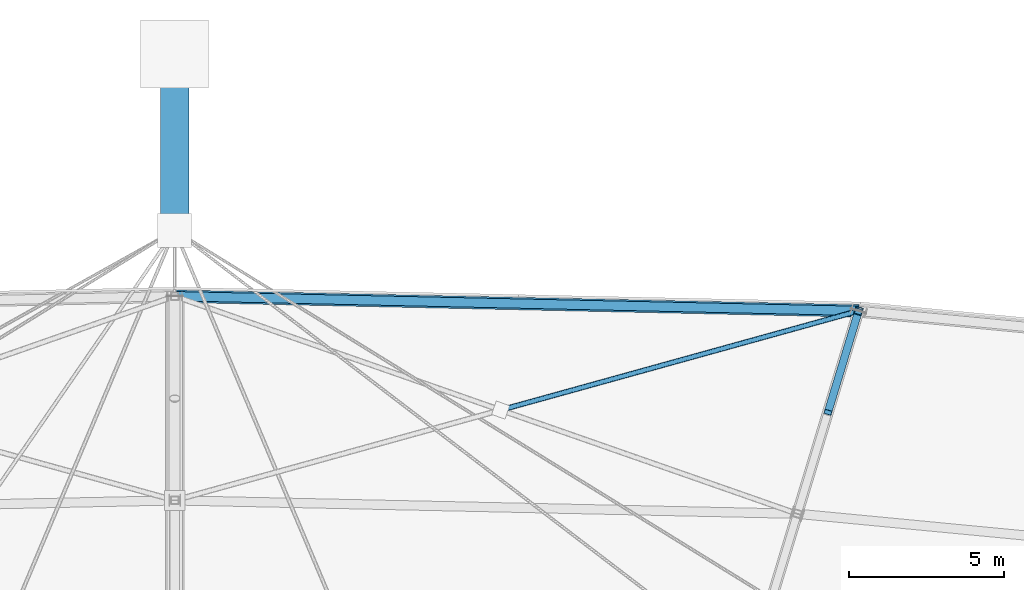
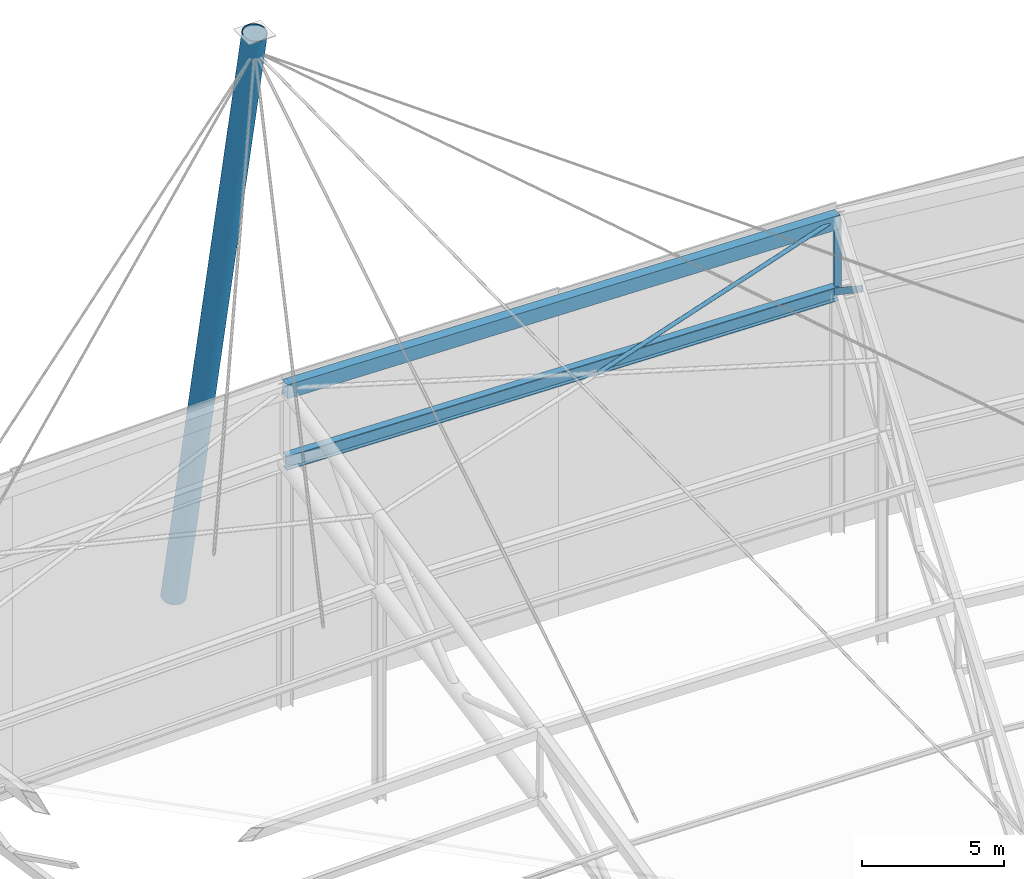
# One storey, part 99 of 143: 4 members, 2 beams.
"""IFC4 building model written with IfcOpenShell, lengths in metres."""

from ifc_helpers import new_model, si_unit, direction, frame, origin, origin_2d, place, context, subcontext, project, spatial, hollow_rectangle, hollow_circle, i_section, extrude, material, material_profile, profile_set, type_object, element, save


model = new_model("IFC4")

# Units and contexts
model_context = context("Model", 3, precision=1e-05, world=origin(), true_north=direction((0.0, 1.0)))
body_context = subcontext(model_context, "Body", "Model", "MODEL_VIEW")
ifc_project = project(units=[si_unit("LENGTHUNIT", "METRE"), si_unit("AREAUNIT", "SQUARE_METRE"), si_unit("VOLUMEUNIT", "CUBIC_METRE"), si_unit("PLANEANGLEUNIT", "RADIAN"), si_unit("MASSUNIT", "GRAM", prefix="KILO")], contexts=[model_context])

# Site, building, storey
site_placement = place(None, origin())
site = spatial("IfcSite", under=ifc_project, at=site_placement, CompositionType="ELEMENT")
building_placement = place(site_placement, origin())
building = spatial("IfcBuilding", under=site, at=building_placement, Name="Mphavela Belvedere Stadium", CompositionType="ELEMENT")
storey_placement = place(building_placement, frame((0.0, 0.0, 28.800048828125)))
storey = spatial("IfcBuildingStorey", under=building, at=storey_placement, Name="RF", CompositionType="ELEMENT", Elevation=28.800048828125)

# Beams
ifc_material_1 = material(Name="Steel S355", Category="steel")
ifc_material_profile_1 = material_profile(ifc_material_1, hollow_rectangle(XDim=0.39990234375, YDim=0.60009765625, WallThickness=0.02001953125, at=origin_2d()), Name="RHS 600x400x20")
ifc_profile_set_1 = profile_set([ifc_material_profile_1], Name="Steel S355")
beam_type_1 = type_object("IfcBeamType", Name="BM-RING-OUT", PredefinedType="BEAM", material=ifc_profile_set_1)
beam_1_placement = place(storey_placement, frame((137.114501953125, 160.19384765625, 13.4423828125), z_axis=(-0.999741024299, 0.021522118296, 0.007394779107), x_axis=(-0.021522706765, -0.999768359718, 0.0)))
element("IfcBeam", 1, at=beam_1_placement, inside=storey, type_object=beam_type_1, Name="Perimeter compression ring beam RB-OUT-12", PredefinedType="BEAM", context=body_context, shape_type="SweptSolid", body=[
    extrude(hollow_rectangle(XDim=0.39990234375, YDim=0.60009765625, WallThickness=0.02001953125, at=origin_2d()), origin(), (0.0, 0.0, 1.0), 22.1201171875),
])
ifc_material_2 = material(Name="Steel S355", Category="steel")
ifc_material_profile_2 = material_profile(ifc_material_2, i_section(OverallWidth=0.300048828125, OverallDepth=0.60009765625, WebThickness=0.015380859375, FlangeThickness=0.030029296875, at=origin_2d()), Name="HEB 600")
ifc_profile_set_2 = profile_set([ifc_material_profile_2], Name="Steel S355")
beam_type_2 = type_object("IfcBeamType", Name="BM-STEEL-HEB600", PredefinedType="BEAM", material=ifc_profile_set_2)
beam_2_placement = place(storey_placement, frame((137.114501953125, 160.19384765625, 10.347412109375), z_axis=(-0.999741024299, 0.021522118296, 0.007394779107), x_axis=(-0.021522706765, -0.999768359718, 0.0)))
element("IfcBeam", 2, at=beam_2_placement, inside=storey, type_object=beam_type_2, Name="Roof bottom-chord tie girder R4-12", PredefinedType="BEAM", context=body_context, shape_type="SweptSolid", body=[
    extrude(i_section(OverallWidth=0.300048828125, OverallDepth=0.60009765625, WebThickness=0.015380859375, FlangeThickness=0.030029296875, at=origin_2d()), origin(), (0.0, 0.0, 1.0), 22.1201171875),
])

# Members
ifc_material_3 = material(Name="Steel S355", Category="steel")
ifc_material_profile_3 = material_profile(ifc_material_3, hollow_circle(Radius=0.45703125, WallThickness=0.031982421875, at=origin_2d()), Name="CHS 914x32")
ifc_profile_set_3 = profile_set([ifc_material_profile_3], Name="Steel S355")
member_type_1 = type_object("IfcMemberType", Name="MEM-MAST-RM1", PredefinedType="USERDEFINED", material=ifc_profile_set_3)
member_1_placement = place(storey_placement, frame((115.0, 168.5, 0.0), z_axis=(0.0, -0.202252960085, 0.979333314116), x_axis=(1.0, 0.0, 0.0)))
element("IfcMember", 3, at=member_1_placement, inside=storey, type_object=member_type_1, Name="North raked tubular steel mast RM1", ObjectType="MAST", PredefinedType="USERDEFINED", context=body_context, shape_type="SweptSolid", body=[
    extrude(hollow_circle(Radius=0.45703125, WallThickness=0.031982421875, at=origin_2d()), origin(), (0.0, 0.0, 1.0), 28.182373046875),
])
ifc_material_4 = material(Name="Steel S355", Category="steel")
ifc_material_profile_4 = material_profile(ifc_material_4, hollow_rectangle(XDim=0.25, YDim=0.25, WallThickness=0.012451171875, at=origin_2d()), Name="SHS 250x250x12.5")
ifc_profile_set_4 = profile_set([ifc_material_profile_4], Name="Steel S355")
member_type_2 = type_object("IfcMemberType", Name="MEM-POST-SHS250", PredefinedType="POST", material=ifc_profile_set_4)
member_2_placement = place(storey_placement, frame((137.114501953125, 160.19384765625, 10.347412109375), z_axis=(0.0, 0.0, 1.0), x_axis=(0.289198876314, 0.957269037387, 0.0)))
element("IfcMember", 4, at=member_2_placement, inside=storey, type_object=member_type_2, Name="Radial roof truss RT-12 post P1", PredefinedType="POST", context=body_context, shape_type="SweptSolid", body=[
    extrude(hollow_rectangle(XDim=0.25, YDim=0.25, WallThickness=0.012451171875, at=origin_2d()), origin(), (0.0, 0.0, 1.0), 3.14990234375),
])
member_3_placement = place(storey_placement, frame((137.114501953125, 160.19384765625, 10.347412109375), z_axis=(-0.235671930257, -0.780057251293, 0.579628696662), x_axis=(0.957265573066, -0.289210343214, 0.0)))
element("IfcMember", 5, at=member_3_placement, inside=storey, type_object=member_type_2, Name="Radial roof truss RT-12 web diagonal D1", PredefinedType="POST", context=body_context, shape_type="SweptSolid", body=[
    extrude(hollow_rectangle(XDim=0.25, YDim=0.25, WallThickness=0.012451171875, at=origin_2d()), origin(), (0.0, 0.0, 1.0), 4.204833984375),
])
ifc_material_5 = material(Name="Steel S355", Category="steel")
ifc_material_profile_5 = material_profile(ifc_material_5, hollow_circle(Radius=0.084228515625, WallThickness=0.010009765625, at=origin_2d()), Name="CHS 168.3x10")
ifc_profile_set_5 = profile_set([ifc_material_profile_5], Name="Steel S355")
member_type_3 = type_object("IfcMemberType", Name="MEM-ROOF-XBRACE", PredefinedType="BRACE", material=ifc_profile_set_5)
member_4_placement = place(storey_placement, frame((137.114501953125, 160.19384765625, 13.497314453125), z_axis=(-0.962218875749, -0.266555835347, -0.055523164485), x_axis=(0.266967659847, -0.963705488516, 0.0)))
element("IfcMember", 6, at=member_4_placement, inside=storey, type_object=member_type_3, Name="Roof diaphragm split X-brace B1 12", PredefinedType="BRACE", context=body_context, shape_type="SweptSolid", body=[
    extrude(hollow_circle(Radius=0.084228515625, WallThickness=0.010009765625, at=origin_2d()), origin(), (0.0, 0.0, 1.0), 12.030517578125),
])

save(model, "model.ifc")
